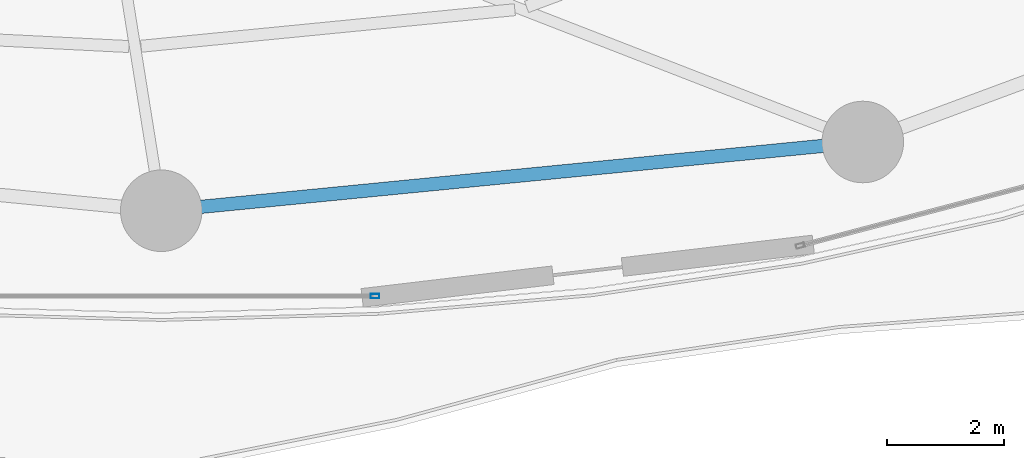
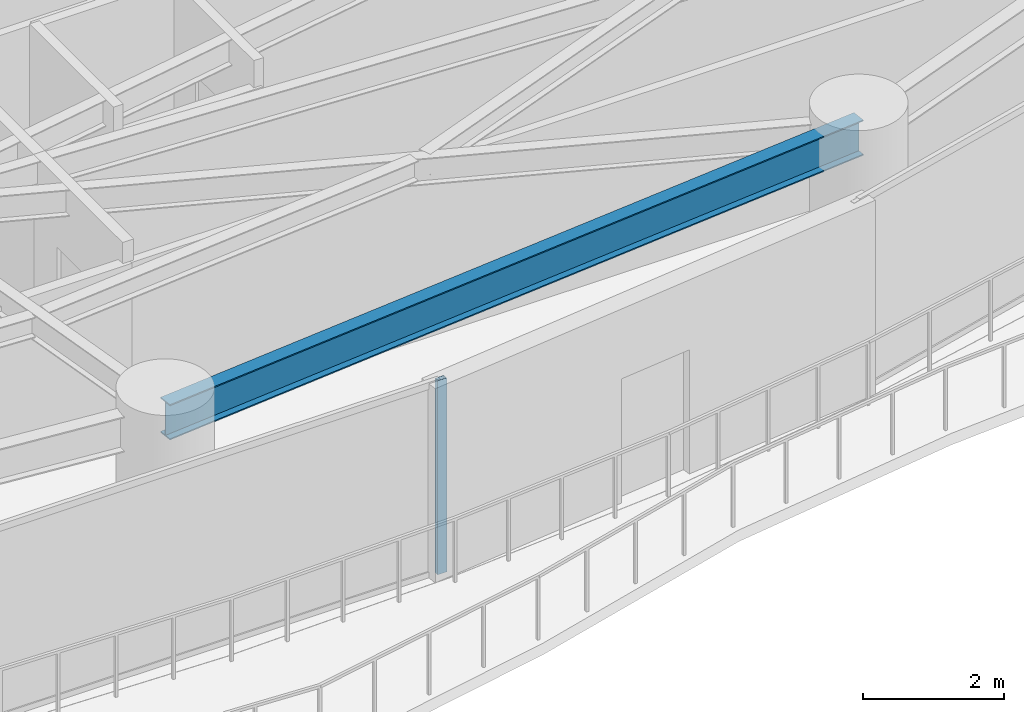
# One storey, part 10 of 31: 1 beam, 1 member, 1 element without a shape of its own.
"""IFC4 building model written with IfcOpenShell, lengths in metres."""

from ifc_helpers import new_model, si_unit, direction, frame, origin, origin_2d, place, context, subcontext, project, spatial, hollow_rectangle, i_section, extrude, material, layer, layer_set, material_profile, profile_set, type_object, element, aggregate, save


model = new_model("IFC4")

# Units and contexts
model_context = context("Model", 3, precision=1e-05, world=origin(), true_north=direction((0.0, 1.0)))
body_context = subcontext(model_context, "Body", "Model", "MODEL_VIEW")
ifc_project = project(units=[si_unit("LENGTHUNIT", "METRE"), si_unit("AREAUNIT", "SQUARE_METRE"), si_unit("VOLUMEUNIT", "CUBIC_METRE"), si_unit("PLANEANGLEUNIT", "RADIAN"), si_unit("MASSUNIT", "GRAM", prefix="KILO")], contexts=[model_context])

# Site, building, storey
site_placement = place(None, origin())
site = spatial("IfcSite", under=ifc_project, at=site_placement, CompositionType="ELEMENT")
building_placement = place(site_placement, origin())
building = spatial("IfcBuilding", under=site, at=building_placement, Name="Kazevale Care Tower and Concert Hall", CompositionType="ELEMENT")
storey_placement = place(building_placement, frame((0.0, 0.0, 81.60009765625)))
storey = spatial("IfcBuildingStorey", under=building, at=storey_placement, Name="L21", CompositionType="ELEMENT", Elevation=81.60009765625)

# Curtain wall, member
ifc_material_1 = material(Name="Aluminium 6063-T6 and Low-E Glass", Category="aluminium")
ifc_layer = layer(ifc_material_1, 0.179931640625)
ifc_layer_set = layer_set([ifc_layer], Name="Aluminium 6063-T6 and Low-E Glass")
curtain_wall_type = type_object("IfcCurtainWallType", Name="Sheltered Concave Balcony Curtain Wall CW-5", PredefinedType="NOTDEFINED", material=ifc_layer_set)
curtain_wall_placement = place(storey_placement, origin())
curtain_wall = element("IfcCurtainWall", 1, at=curtain_wall_placement, inside=storey, type_object=curtain_wall_type, Name="cw:L21:f06", PredefinedType="NOTDEFINED")
ifc_material_2 = material(Name="Aluminium 6063-T6", Category="aluminium")
ifc_material_profile_1 = material_profile(ifc_material_2, hollow_rectangle(XDim=0.074951171875, YDim=0.14990234375, WallThickness=0.00390625, at=origin_2d()), Name="ALU75x150x4")
ifc_profile_set_1 = profile_set([ifc_material_profile_1], Name="Aluminium 6063-T6")
member_type = type_object("IfcMemberType", Name="CW-5 Mullion ALU75x150x4", PredefinedType="MULLION", material=ifc_profile_set_1)
member_placement = place(storey_placement, frame((48.66943359375, 15.885986328125, 0.0), z_axis=(0.0, 0.0, 1.0), x_axis=(0.0, -1.0, 0.0)))
member = element("IfcMember", 2, at=member_placement, type_object=member_type, Name="CW-5 mullion 1", PredefinedType="MULLION", context=body_context, shape_type="SweptSolid", body=[
    extrude(hollow_rectangle(XDim=0.074951171875, YDim=0.14990234375, WallThickness=0.00390625, at=origin_2d()), origin(), (0.0, 0.0, 1.0), 3.35986328125),
])
aggregate(curtain_wall, [member])

# Beam
ifc_material_3 = material(Name="Steel ASTM A572 Gr 50", Category="steel")
ifc_material_profile_2 = material_profile(ifc_material_3, i_section(OverallWidth=0.22900390625, OverallDepth=0.612060546875, WebThickness=0.011962890625, FlangeThickness=0.01953125, at=origin_2d()), Name="W610x125")
ifc_profile_set_2 = profile_set([ifc_material_profile_2], Name="Steel ASTM A572 Gr 50")
beam_type = type_object("IfcBeamType", Name="Ring Spandrel Beam W610x125", PredefinedType="SPANDREL", material=ifc_profile_set_2)
beam_placement = place(storey_placement, frame((45.0, 17.35009765625, 3.053955078125), z_axis=(0.995232251602, 0.09753340644, 0.0), x_axis=(-0.09753340644, 0.995232251602, 0.0)))
element("IfcBeam", 3, at=beam_placement, inside=storey, type_object=beam_type, Name="beam:L21:ring:13", PredefinedType="SPANDREL", context=body_context, shape_type="SweptSolid", body=[
    extrude(i_section(OverallWidth=0.22900390625, OverallDepth=0.612060546875, WebThickness=0.011962890625, FlangeThickness=0.01953125, at=origin_2d()), origin(), (0.0, 0.0, 1.0), 12.09765625),
])

save(model, "model.ifc")
